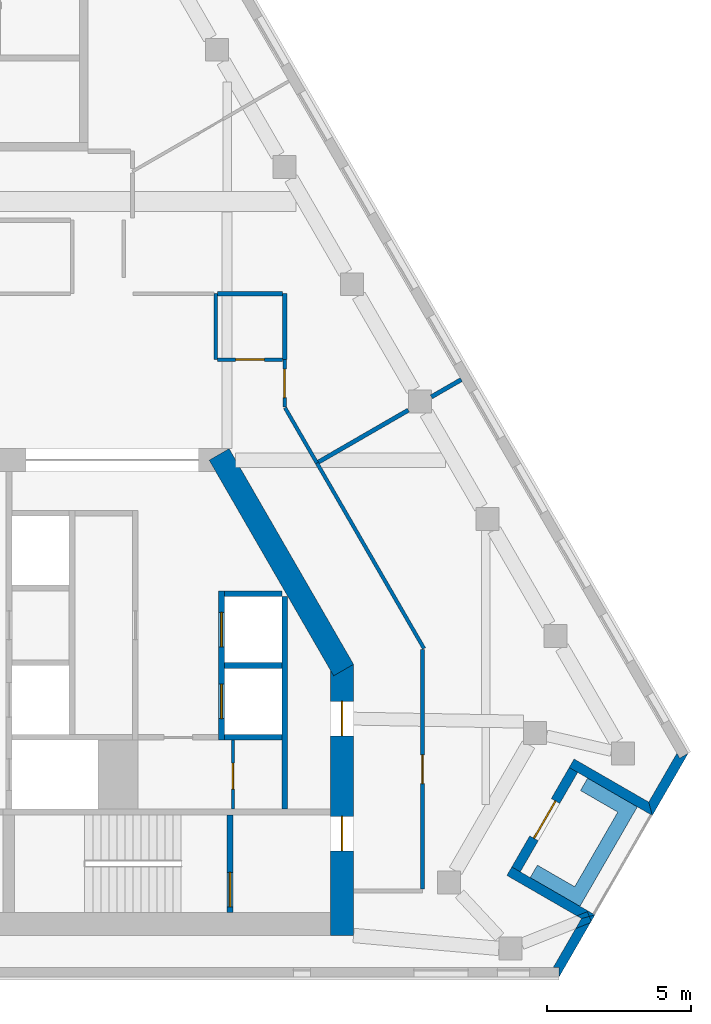
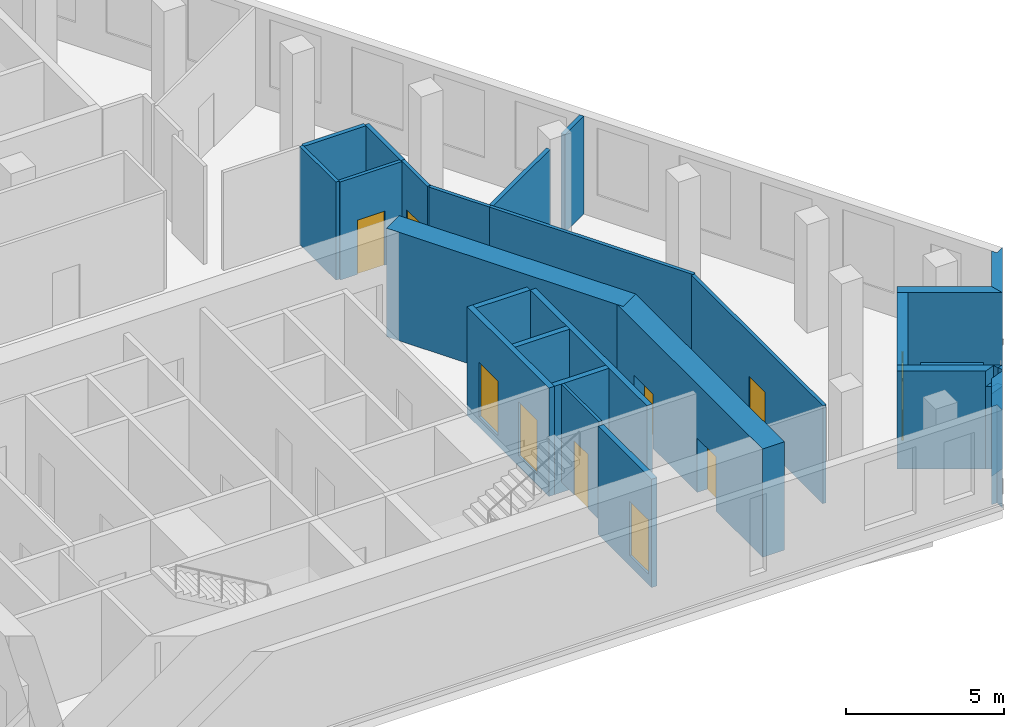
# One storey, part 5 of 8: 28 walls, 10 doors, 10 openings.
"""IFC4 building model written with IfcOpenShell, lengths in metres."""

import ifcopenshell
import ifcopenshell.guid

model = None  # the IFC model being written
_history = None  # IfcOwnerHistory: only IFC2X3 demands one
_inside = {}  # id of a spatial element -> (the spatial element, [elements in it])
_under = {}  # id of a project, library or spatial element -> (it, [spatial elements below it])
_declared = {}  # id of a project -> (the project, [libraries it declares])
_typed = {}  # id of a type object -> (the type object, [elements of that type])
_made_of = {}  # id of a material, layer set ... -> (it, [elements and type objects made of it])


def new_model(schema):
    """Start an empty IFC model of exactly this schema.

    Asked for "IFC4X3", IfcOpenShell would pick the latest addendum, in which some entities
    have other attributes; the version numbers below select the first issue.
    IFC2X3 requires an IfcOwnerHistory on every rooted entity: one is made here for all.
    """
    global model, _history
    if schema == "IFC4X3":
        model = ifcopenshell.file(schema_version=(4, 3, 0, 0))
    else:
        model = ifcopenshell.file(schema=schema)
    _inside.clear()
    _under.clear()
    _declared.clear()
    _typed.clear()
    _made_of.clear()
    _history = None
    if model.schema == "IFC2X3":
        org = make("IfcOrganization", Name="unknown")
        user = make(
            "IfcPersonAndOrganization",
            ThePerson=make("IfcPerson", FamilyName="unknown"),
            TheOrganization=org,
        )
        app = make(
            "IfcApplication",
            ApplicationDeveloper=org,
            Version="unknown",
            ApplicationFullName="unknown",
            ApplicationIdentifier="unknown",
        )
        _history = make(
            "IfcOwnerHistory",
            OwningUser=user,
            OwningApplication=app,
            ChangeAction="ADDED",
            CreationDate=0,
        )
    return model


def make(cls, **values):
    """One entity of the class cls with the attributes given. An attribute that is None is left unset."""
    return model.create_entity(
        cls, **{name: value for name, value in values.items() if value is not None}
    )


def rooted(cls, **values):
    """An entity with a GlobalId (a new one), such as an element, a storey or a relation."""
    return make(cls, GlobalId=ifcopenshell.guid.new(), OwnerHistory=_history, **values)


def si_unit(unit_type, name, prefix=None):
    """IfcSIUnit, for example si_unit("LENGTHUNIT", "METRE", prefix="MILLI")."""
    return make("IfcSIUnit", UnitType=unit_type, Prefix=prefix, Name=name)


def assignment(units):
    """IfcUnitAssignment: the units of a project."""
    return None if units is None else make("IfcUnitAssignment", Units=units)


def point(xyz):
    """IfcCartesianPoint."""
    return None if xyz is None else make("IfcCartesianPoint", Coordinates=xyz)


def direction(xyz):
    """IfcDirection."""
    return None if xyz is None else make("IfcDirection", DirectionRatios=xyz)


def frame(location, z_axis=None, x_axis=None):
    """IfcAxis2Placement3D, a coordinate frame: its origin and axes. An axis left out is left unset."""
    return make(
        "IfcAxis2Placement3D",
        Location=point(location),
        Axis=direction(z_axis),
        RefDirection=direction(x_axis),
    )


def frame_2d(location, x_axis=None):
    """IfcAxis2Placement2D, a coordinate frame in the plane: its origin and x axis."""
    return make(
        "IfcAxis2Placement2D", Location=point(location), RefDirection=direction(x_axis)
    )


def origin():
    """The frame at (0, 0, 0) with its axes left unset."""
    return frame((0.0, 0.0, 0.0))


def place(relative_to, where):
    """IfcLocalPlacement: puts the frame where relative to a parent placement (None: the world)."""
    return make(
        "IfcLocalPlacement", PlacementRelTo=relative_to, RelativePlacement=where
    )


def context(
    kind, dimensions, precision=None, world=None, true_north=None, identifier=None
):
    """IfcGeometricRepresentationContext, for example the 3D "Model" context."""
    return make(
        "IfcGeometricRepresentationContext",
        ContextIdentifier=identifier,
        ContextType=kind,
        CoordinateSpaceDimension=dimensions,
        Precision=precision,
        WorldCoordinateSystem=world,
        TrueNorth=true_north,
    )


def subcontext(parent, identifier, kind, view, scale=None):
    """IfcGeometricRepresentationSubContext, for example "Body" below "Model"."""
    return make(
        "IfcGeometricRepresentationSubContext",
        ContextIdentifier=identifier,
        ContextType=kind,
        ParentContext=parent,
        TargetScale=scale,
        TargetView=view,
    )


def project(units=None, contexts=None):
    """IfcProject with its units and contexts."""
    return rooted(
        "IfcProject",
        Name="project",
        RepresentationContexts=contexts,
        UnitsInContext=assignment(units),
    )


def spatial(cls, under=None, at=None, **own):
    """A site, building, storey or space (cls), placed at a placement, below another one or the project."""
    s = rooted(cls, ObjectPlacement=at, **own)
    if under is not None:
        _under.setdefault(under.id(), (under, []))[1].append(s)
    return s


def polyline(points):
    """IfcPolyline through the points."""
    return make("IfcPolyline", Points=[point(p) for p in points])


def profile(cls, at=None, kind="AREA", **sizes):
    """A parametric profile (cls). Its sizes go by their IFC names, for example OverallWidth=200.0."""
    return make(cls, ProfileType=kind, Position=at, **sizes)


def rectangle(**sizes):
    """IfcRectangleProfileDef."""
    return profile("IfcRectangleProfileDef", **sizes)


def outline(outer, holes=None, kind="AREA"):
    """IfcArbitraryClosedProfileDef: a profile drawn as a closed curve; with holes, ...WithVoids."""
    if holes is None:
        return make("IfcArbitraryClosedProfileDef", ProfileType=kind, OuterCurve=outer)
    return make(
        "IfcArbitraryProfileDefWithVoids",
        ProfileType=kind,
        OuterCurve=outer,
        InnerCurves=holes,
    )


def extrude(swept, where, along, depth):
    """IfcExtrudedAreaSolid: the profile swept, set in the frame where, extruded along a direction by depth."""
    return make(
        "IfcExtrudedAreaSolid",
        SweptArea=swept,
        Position=where,
        ExtrudedDirection=direction(along),
        Depth=depth,
    )


def shape(context_of_items, identifier, shape_type, items):
    """IfcShapeRepresentation: the items that make up one representation, for example the "Body"."""
    return make(
        "IfcShapeRepresentation",
        ContextOfItems=context_of_items,
        RepresentationIdentifier=identifier,
        RepresentationType=shape_type,
        Items=items,
    )


def material(Name=None, Category=None):
    """IfcMaterial."""
    return make("IfcMaterial", Name=Name, Category=Category)


def layer(
    of_material, thickness, ventilated=None, Name=None, Category=None, Priority=None
):
    """IfcMaterialLayer: one layer of a wall or slab, of a material (None: an air gap)."""
    return make(
        "IfcMaterialLayer",
        Material=of_material,
        LayerThickness=thickness,
        IsVentilated=ventilated,
        Name=Name,
        Category=Category,
        Priority=Priority,
    )


def layer_set(layers, Name=None):
    """IfcMaterialLayerSet."""
    return make("IfcMaterialLayerSet", MaterialLayers=layers, LayerSetName=Name)


def made_of(thing, what):
    """Note that an element or type object is made of a material, layer set ...; save() writes the relation."""
    if what is not None:
        _made_of.setdefault(what.id(), (what, []))[1].append(thing)
    return thing


def type_object(cls, material=None, **own):
    """A type object (cls), such as IfcWallType, which elements share."""
    return made_of(rooted(cls, **own), material)


def element(
    cls,
    number,
    at=None,
    inside=None,
    cuts=None,
    type_object=None,
    material=None,
    context=None,
    identifier="Body",
    shape_type=None,
    held_by="IfcProductDefinitionShape",
    body=None,
    shapes=None,
    **own,
):
    """One element of the class cls, such as IfcWall. Its Tag is "e" and its number.

    at: its placement. inside: the storey or other place that contains it. cuts: it is an
    opening in that element (IfcRelVoidsElement). A single representation is given by context,
    identifier, shape_type and body (its items); several are given by shapes. held_by: the class
    of the entity that holds the representations. save() writes the other relations.
    """
    e = rooted(cls, Tag="e%d" % number, ObjectPlacement=at, **own)
    if body is not None:
        shapes = [shape(context, identifier, shape_type, body)]
    if shapes is not None:
        e.Representation = make(held_by, Representations=shapes)
    if inside is not None:
        _inside.setdefault(inside.id(), (inside, []))[1].append(e)
    if cuts is not None:
        rooted(
            "IfcRelVoidsElement", RelatingBuildingElement=cuts, RelatedOpeningElement=e
        )
    if type_object is not None:
        _typed.setdefault(type_object.id(), (type_object, []))[1].append(e)
    return made_of(e, material)


def fill(opening, filler):
    """IfcRelFillsElement: the door or window that sits in an opening."""
    return rooted(
        "IfcRelFillsElement",
        RelatingOpeningElement=opening,
        RelatedBuildingElement=filler,
    )


def aggregate(whole, parts):
    """IfcRelAggregates: a whole, such as a stair, and the parts it consists of."""
    return rooted("IfcRelAggregates", RelatingObject=whole, RelatedObjects=parts)


def save(model, path):
    """Write the relations noted so far, then the file.

    IfcRelAggregates (storeys below a building ...), IfcRelContainedInSpatialStructure (elements
    in a storey), IfcRelDefinesByType, IfcRelAssociatesMaterial and IfcRelDeclares: one each for
    every whole, place, type object, material and project.
    """
    for whole, parts in _under.values():
        aggregate(whole, parts)
    for where, things in _inside.values():
        rooted(
            "IfcRelContainedInSpatialStructure",
            RelatedElements=things,
            RelatingStructure=where,
        )
    for kind, things in _typed.values():
        rooted("IfcRelDefinesByType", RelatedObjects=things, RelatingType=kind)
    for what, things in _made_of.values():
        rooted("IfcRelAssociatesMaterial", RelatedObjects=things, RelatingMaterial=what)
    for by, libraries in _declared.values():
        rooted("IfcRelDeclares", RelatingContext=by, RelatedDefinitions=libraries)
    model.write(path)


model = new_model("IFC4")

# Units and contexts
model_context = context("Model", 3, precision=1e-05, world=origin(), true_north=direction((0.0, 1.0)))
body_context = subcontext(model_context, "Body", "Model", "MODEL_VIEW")
ifc_project = project(units=[si_unit("LENGTHUNIT", "METRE"), si_unit("AREAUNIT", "SQUARE_METRE"), si_unit("VOLUMEUNIT", "CUBIC_METRE"), si_unit("PLANEANGLEUNIT", "RADIAN"), si_unit("MASSUNIT", "GRAM", prefix="KILO")], contexts=[model_context])

# Site, building, storey
site_placement = place(None, origin())
site = spatial("IfcSite", under=ifc_project, at=site_placement, CompositionType="ELEMENT")
building_placement = place(site_placement, origin())
building = spatial("IfcBuilding", under=site, at=building_placement, Name="Fogline Exchange Tower", CompositionType="ELEMENT")
storey_placement = place(building_placement, frame((0.0, 0.0, 291.89990234375)))
storey = spatial("IfcBuildingStorey", under=building, at=storey_placement, Name="L66", CompositionType="ELEMENT", Elevation=291.89990234375)

# Wall, opening, door
ifc_material_1 = material(Name="Blockwork partition", Category="masonry")
ifc_layer_1 = layer(ifc_material_1, 0.10009765625)
ifc_layer_set_1 = layer_set([ifc_layer_1], Name="CW10")
wall_type_1 = type_object("IfcWallType", Name="CW10", PredefinedType="PARTITIONING", material=ifc_layer_set_1)
wall_1_placement = place(storey_placement, frame((9.199951171875, 5.85009765625, 0.0), z_axis=(0.0, 0.0, 1.0), x_axis=(0.0, 1.0, 0.0)))
wall_1 = element("IfcWall", 1, at=wall_1_placement, inside=storey, type_object=wall_type_1, Name="WC partition", PredefinedType="PARTITIONING", context=body_context, shape_type="SweptSolid", body=[
    extrude(rectangle(XDim=2.39990234375, YDim=0.10009765625, at=frame_2d((1.199951171875, 0.0))), origin(), (0.0, 0.0, 1.0), 3.800048828125),
])
opening_1_placement = place(wall_1_placement, frame((0.699951171875, 0.0, 0.0)))
opening_1 = element("IfcOpeningElement", 2, at=opening_1_placement, cuts=wall_1, Name="Opening T21-C016", PredefinedType="OPENING", context=body_context, shape_type="SweptSolid", body=[
    extrude(rectangle(XDim=0.89990234375, YDim=2.10009765625, at=frame_2d((0.449951171875, 1.050048828125))), frame((0.0, 0.06005859375, 0.0), z_axis=(0.0, -1.0, 0.0), x_axis=(1.0, 0.0, 0.0)), (0.0, 0.0, 1.0), 0.1201171875),
])
ifc_material_2 = material(Name="Steel and timber fire door", Category="steel")
door_type_1 = type_object("IfcDoorType", Name="D-CS1", OperationType="SINGLE_SWING_RIGHT", PredefinedType="DOOR", material=ifc_material_2)
door_1_placement = place(opening_1_placement, frame((0.89990234375, 0.0, 0.0), z_axis=(0.0, 0.0, 1.0), x_axis=(-1.0, 0.0, 0.0)))
door_1 = element("IfcDoor", 3, at=door_1_placement, inside=storey, type_object=door_type_1, Name="Door to Cleaner's Store", OperationType="SINGLE_SWING_RIGHT", OverallHeight=2.10009765625, OverallWidth=0.89990234375, PredefinedType="DOOR", context=body_context, shape_type="SweptSolid", body=[
    extrude(rectangle(XDim=0.89990234375, YDim=2.10009765625, at=frame_2d((0.449951171875, 1.050048828125))), frame((0.0, 0.02490234375, 0.0), z_axis=(0.0, -1.0, 0.0), x_axis=(1.0, 0.0, 0.0)), (0.0, 0.0, 1.0), 0.050048828125),
])
fill(opening_1, door_1)

# Wall
ifc_material_3 = material(Name="Concrete C40", Category="concrete")
ifc_layer_2 = layer(ifc_material_3, 0.199951171875)
ifc_layer_set_2 = layer_set([ifc_layer_2], Name="CW20")
wall_type_2 = type_object("IfcWallType", Name="CW20", PredefinedType="SOLIDWALL", material=ifc_layer_set_2)
wall_2_placement = place(storey_placement, frame((11.0, 5.85009765625, 0.0), z_axis=(0.0, 0.0, 1.0), x_axis=(0.0, 1.0, 0.0)))
element("IfcWall", 4, at=wall_2_placement, inside=storey, type_object=wall_type_2, Name="Service room wall", PredefinedType="SOLIDWALL", context=body_context, shape_type="SweptSolid", body=[
    extrude(rectangle(XDim=7.39990234375, YDim=0.199951171875, at=frame_2d((3.699951171875, 0.0))), origin(), (0.0, 0.0, 1.0), 3.800048828125),
])

# Wall, opening, door
ifc_layer_3 = layer(ifc_material_3, 0.199951171875)
ifc_layer_set_3 = layer_set([ifc_layer_3], Name="CW20R")
wall_type_3 = type_object("IfcWallType", Name="CW20R", PredefinedType="SOLIDWALL", material=ifc_layer_set_3)
wall_3_placement = place(storey_placement, frame((9.10009765625, 2.25, -0.39990234375), z_axis=(0.0, 0.0, 1.0), x_axis=(0.0, 1.0, 0.0)))
wall_3 = element("IfcWall", 5, at=wall_3_placement, inside=storey, type_object=wall_type_3, Name="Stair enclosure wall", PredefinedType="SOLIDWALL", context=body_context, shape_type="SweptSolid", body=[
    extrude(rectangle(XDim=3.39990234375, YDim=0.199951171875, at=frame_2d((1.699951171875, 0.0))), origin(), (0.0, 0.0, 1.0), 4.199951171875),
])
opening_2_placement = place(wall_3_placement, frame((0.199951171875, 0.0, 0.39990234375)))
opening_2 = element("IfcOpeningElement", 6, at=opening_2_placement, cuts=wall_3, Name="Opening T21-C018", PredefinedType="OPENING", context=body_context, shape_type="SweptSolid", body=[
    extrude(rectangle(XDim=1.199951171875, YDim=2.10009765625, at=frame_2d((0.60009765625, 1.050048828125))), frame((0.0, 0.10986328125, 0.0), z_axis=(0.0, -1.0, 0.0), x_axis=(1.0, 0.0, 0.0)), (0.0, 0.0, 1.0), 0.219970703125),
])
door_type_2 = type_object("IfcDoorType", Name="D-ST1", OperationType="SINGLE_SWING_LEFT", PredefinedType="DOOR", material=ifc_material_2)
door_2_placement = place(opening_2_placement, origin())
door_2 = element("IfcDoor", 7, at=door_2_placement, inside=storey, type_object=door_type_2, Name="Stair door ST2", OperationType="SINGLE_SWING_LEFT", OverallHeight=2.10009765625, OverallWidth=1.199951171875, PredefinedType="DOOR", context=body_context, shape_type="SweptSolid", body=[
    extrude(rectangle(XDim=1.199951171875, YDim=2.10009765625, at=frame_2d((0.60009765625, 1.050048828125))), frame((0.0, 0.02490234375, 0.0), z_axis=(0.0, -1.0, 0.0), x_axis=(1.0, 0.0, 0.0)), (0.0, 0.0, 1.0), 0.050048828125),
])
fill(opening_2, door_2)

# Wall, openings, doors
ifc_layer_4 = layer(ifc_material_3, 0.199951171875)
ifc_layer_set_4 = layer_set([ifc_layer_4], Name="CW20S")
wall_type_4 = type_object("IfcWallType", Name="CW20S", PredefinedType="SOLIDWALL", material=ifc_layer_set_4)
wall_4_placement = place(storey_placement, frame((8.800048828125, 8.25, -0.39990234375), z_axis=(0.0, 0.0, 1.0), x_axis=(0.0, 1.0, 0.0)))
wall_4 = element("IfcWall", 8, at=wall_4_placement, inside=storey, type_object=wall_type_4, Name="Lift shaft wall", PredefinedType="SOLIDWALL", context=body_context, shape_type="SweptSolid", body=[
    extrude(rectangle(XDim=5.199951171875, YDim=0.199951171875, at=frame_2d((2.60009765625, 0.0))), origin(), (0.0, 0.0, 1.0), 4.199951171875),
])
opening_3_placement = place(wall_4_placement, frame((0.75, 0.0, 0.39990234375)))
opening_3 = element("IfcOpeningElement", 9, at=opening_3_placement, cuts=wall_4, Name="Opening T21-LD02", PredefinedType="OPENING", context=body_context, shape_type="SweptSolid", body=[
    extrude(rectangle(XDim=1.199951171875, YDim=2.10009765625, at=frame_2d((0.60009765625, 1.050048828125))), frame((0.0, 0.10986328125, 0.0), z_axis=(0.0, -1.0, 0.0), x_axis=(1.0, 0.0, 0.0)), (0.0, 0.0, 1.0), 0.219970703125),
])
opening_4_placement = place(wall_4_placement, frame((3.25, 0.0, 0.39990234375)))
opening_4 = element("IfcOpeningElement", 10, at=opening_4_placement, cuts=wall_4, Name="Opening T21-LD03", PredefinedType="OPENING", context=body_context, shape_type="SweptSolid", body=[
    extrude(rectangle(XDim=1.199951171875, YDim=2.10009765625, at=frame_2d((0.60009765625, 1.050048828125))), frame((0.0, 0.10986328125, 0.0), z_axis=(0.0, -1.0, 0.0), x_axis=(1.0, 0.0, 0.0)), (0.0, 0.0, 1.0), 0.219970703125),
])
door_type_3 = type_object("IfcDoorType", Name="LD1", OperationType="SLIDING_TO_LEFT", PredefinedType="DOOR", material=ifc_material_2)
door_3_placement = place(opening_3_placement, origin())
door_3 = element("IfcDoor", 11, at=door_3_placement, inside=storey, type_object=door_type_3, Name="Landing door HR1", OperationType="SLIDING_TO_LEFT", OverallHeight=2.10009765625, OverallWidth=1.199951171875, PredefinedType="DOOR", context=body_context, shape_type="SweptSolid", body=[
    extrude(rectangle(XDim=1.199951171875, YDim=2.10009765625, at=frame_2d((0.60009765625, 1.050048828125))), frame((0.0, 0.02490234375, 0.0), z_axis=(0.0, -1.0, 0.0), x_axis=(1.0, 0.0, 0.0)), (0.0, 0.0, 1.0), 0.050048828125),
])
fill(opening_3, door_3)
door_4_placement = place(opening_4_placement, origin())
door_4 = element("IfcDoor", 12, at=door_4_placement, inside=storey, type_object=door_type_3, Name="Landing door HR2", OperationType="SLIDING_TO_LEFT", OverallHeight=2.10009765625, OverallWidth=1.199951171875, PredefinedType="DOOR", context=body_context, shape_type="SweptSolid", body=[
    extrude(rectangle(XDim=1.199951171875, YDim=2.10009765625, at=frame_2d((0.60009765625, 1.050048828125))), frame((0.0, 0.02490234375, 0.0), z_axis=(0.0, -1.0, 0.0), x_axis=(1.0, 0.0, 0.0)), (0.0, 0.0, 1.0), 0.050048828125),
])
fill(opening_4, door_4)

# Walls
for number, where, z_axis, x_axis, name in (
    (13, (8.89990234375, 8.35009765625, -0.39990234375), (0.0, 0.0, 1.0), (1.0, 0.0, 0.0), "Lift shaft wall"),
    (14, (8.89990234375, 10.85009765625, -0.39990234375), (0.0, 0.0, 1.0), (1.0, 0.0, 0.0), "Lift shaft wall"),
    (15, (8.89990234375, 13.35009765625, -0.39990234375), (0.0, 0.0, 1.0), (1.0, 0.0, 0.0), "Lift shaft wall"),
):
    element("IfcWall", number, at=place(storey_placement, frame(where, z_axis=z_axis, x_axis=x_axis)), inside=storey, type_object=wall_type_4, Name=name, PredefinedType="SOLIDWALL", context=body_context, shape_type="SweptSolid", body=[
        extrude(rectangle(XDim=2.0, YDim=0.199951171875, at=frame_2d((1.0, 0.0))), origin(), (0.0, 0.0, 1.0), 4.199951171875),
    ])
ifc_material_4 = material(Name="Brick masonry", Category="masonry")
ifc_layer_5 = layer(ifc_material_4, 0.340087890625)
ifc_layer_set_5 = layer_set([ifc_layer_5], Name="FW1")
wall_type_5 = type_object("IfcWallType", Name="FW1", PredefinedType="SOLIDWALL", material=ifc_layer_set_5)
wall_5_placement = place(storey_placement, origin())
element("IfcWall", 16, at=wall_5_placement, inside=storey, type_object=wall_type_5, Name="Brick wall L66 SE-c1", PredefinedType="SOLIDWALL", context=body_context, shape_type="SweptSolid", body=[
    extrude(outline(polyline([(21.644775390625, 1.891357421875), (21.1337890625, 1.6884765625), (21.33740234375, 2.041015625), (21.6083984375, 2.11376953125), (21.675537109375, 1.944580078125), (21.644775390625, 1.891357421875)])), origin(), (0.0, 0.0, 1.0), 3.2001953125),
])
wall_6_placement = place(storey_placement, origin())
element("IfcWall", 17, at=wall_6_placement, inside=storey, type_object=wall_type_5, Name="Brick wall L66 SE-c1", PredefinedType="SOLIDWALL", context=body_context, shape_type="SweptSolid", body=[
    extrude(outline(polyline([(21.675537109375, 1.944580078125), (21.6083984375, 2.11376953125), (21.802978515625, 2.166015625), (21.80322265625, 2.165771484375), (21.675537109375, 1.944580078125)])), origin(), (0.0, 0.0, 1.0), 3.800048828125),
])
wall_7_placement = place(storey_placement, origin())
element("IfcWall", 18, at=wall_7_placement, inside=storey, type_object=wall_type_5, Name="Brick wall L66 SE-c1", PredefinedType="SOLIDWALL", context=body_context, shape_type="SweptSolid", body=[
    extrude(outline(polyline([(20.55224609375, -0.001220703125), (20.551513671875, -0.0009765625), (20.551513671875, 0.33935546875), (20.354736328125, 0.33935546875), (21.1337890625, 1.6884765625), (21.644775390625, 1.891357421875), (20.55224609375, -0.001220703125)])), origin(), (0.0, 0.0, 1.0), 3.800048828125),
])
wall_8_placement = place(storey_placement, origin())
element("IfcWall", 19, at=wall_8_placement, inside=storey, type_object=wall_type_5, Name="Brick wall L66 SE-s1", PredefinedType="SOLIDWALL", context=body_context, shape_type="SweptSolid", body=[
    extrude(outline(polyline([(21.337646484375, 2.0400390625), (21.173583984375, 2.134521484375), (21.5419921875, 2.281005859375), (21.60888671875, 2.112548828125), (21.337646484375, 2.0400390625)])), origin(), (0.0, 0.0, 1.0), 3.2001953125),
])
wall_9_placement = place(storey_placement, origin())
element("IfcWall", 20, at=wall_9_placement, inside=storey, type_object=wall_type_5, Name="Brick wall L66 SE-s1", PredefinedType="SOLIDWALL", context=body_context, shape_type="SweptSolid", body=[
    extrude(outline(polyline([(18.909423828125, 3.8359375), (19.204345703125, 3.66552734375), (21.803466796875, 2.1650390625), (21.803466796875, 2.164794921875), (21.60888671875, 2.112548828125), (21.5419921875, 2.281005859375), (21.173583984375, 2.134521484375), (18.73876953125, 3.540283203125), (18.909423828125, 3.8359375)])), origin(), (0.0, 0.0, 1.0), 3.800048828125),
])

# Wall, opening, door
wall_10_placement = place(storey_placement, frame((19.056884765625, 3.75, 0.0), z_axis=(0.0, 0.0, 1.0), x_axis=(0.49999894854, 0.866026010844, 0.0)))
wall_10 = element("IfcWall", 21, at=wall_10_placement, inside=storey, type_object=wall_type_5, Name="Brick wall L66 SE-bk", PredefinedType="SOLIDWALL", context=body_context, shape_type="SweptSolid", body=[
    extrude(rectangle(XDim=4.0, YDim=0.340087890625, at=frame_2d((2.0, 0.0))), origin(), (0.0, 0.0, 1.0), 3.800048828125),
])
opening_5_placement = place(wall_10_placement, frame((1.25, 0.0, 0.0)))
opening_5 = element("IfcOpeningElement", 22, at=opening_5_placement, cuts=wall_10, Name="Opening T21-E081", PredefinedType="OPENING", context=body_context, shape_type="SweptSolid", body=[
    extrude(rectangle(XDim=1.5, YDim=2.39990234375, at=frame_2d((0.75, 1.199951171875))), frame((0.0, 0.18017578125, 0.0), z_axis=(0.0, -1.0, 0.0), x_axis=(1.0, 0.0, 0.0)), (0.0, 0.0, 1.0), 0.360107421875),
])
ifc_material_5 = material(Name="Aluminium and glass", Category="aluminium")
door_type_4 = type_object("IfcDoorType", Name="ED4", OperationType="SINGLE_SWING_LEFT", PredefinedType="DOOR", material=ifc_material_5)
door_5_placement = place(opening_5_placement, frame((1.5, 0.0, 0.0), z_axis=(0.0, 0.0, 1.0), x_axis=(-1.0, 0.0, 0.0)))
door_5 = element("IfcDoor", 23, at=door_5_placement, inside=storey, type_object=door_type_4, Name="Balcony door L66 SE", OperationType="DOUBLE_DOOR_SINGLE_SWING", OverallHeight=2.39990234375, OverallWidth=1.5, PredefinedType="DOOR", context=body_context, shape_type="SweptSolid", body=[
    extrude(rectangle(XDim=1.5, YDim=2.39990234375, at=frame_2d((0.75, 1.199951171875))), frame((0.0, 0.02490234375, 0.0), z_axis=(0.0, -1.0, 0.0), x_axis=(1.0, 0.0, 0.0)), (0.0, 0.0, 1.0), 0.050048828125),
])
fill(opening_5, door_5)

# Walls
wall_11_placement = place(storey_placement, origin())
element("IfcWall", 24, at=wall_11_placement, inside=storey, type_object=wall_type_5, Name="Brick wall L66 SE-s2", PredefinedType="SOLIDWALL", context=body_context, shape_type="SweptSolid", body=[
    extrude(outline(polyline([(23.802734375, 5.628173828125), (21.203857421875, 7.128662109375), (20.908935546875, 7.298828125), (21.079345703125, 7.594482421875), (23.67822265625, 6.093994140625), (23.802978515625, 5.62841796875), (23.802734375, 5.628173828125)])), origin(), (0.0, 0.0, 1.0), 3.800048828125),
])
wall_12_placement = place(storey_placement, origin())
element("IfcWall", 25, at=wall_12_placement, inside=storey, type_object=wall_type_5, Name="Brick wall L66 SE-c2", PredefinedType="SOLIDWALL", context=body_context, shape_type="SweptSolid", body=[
    extrude(outline(polyline([(24.65966796875, 7.79541015625), (24.758056640625, 7.625), (25.052734375, 7.79541015625), (25.05322265625, 7.794921875), (23.80224609375, 5.6279296875), (23.8017578125, 5.6279296875), (23.677001953125, 6.09375), (24.65966796875, 7.79541015625)])), origin(), (0.0, 0.0, 1.0), 3.800048828125),
])
ifc_material_6 = material(Name="Concrete C30", Category="concrete")
ifc_layer_6 = layer(ifc_material_6, 0.199951171875)
ifc_layer_set_6 = layer_set([ifc_layer_6], Name="PL1")
wall_type_6 = type_object("IfcWallType", Name="PL1", PredefinedType="USERDEFINED", material=ifc_layer_set_6)
wall_13_placement = place(storey_placement, origin())
element("IfcWall", 26, at=wall_13_placement, inside=storey, type_object=wall_type_6, Name="PLANTER balcony L66 SE", ObjectType="PLANTER", PredefinedType="USERDEFINED", context=body_context, shape_type="SweptSolid", body=[
    extrude(outline(polyline([(19.550537109375, 3.465087890625), (20.849609375, 2.715087890625), (20.849609375, 2.715087890625), (21.28271484375, 2.465087890625), (23.28271484375, 5.92919921875), (21.550537109375, 6.92919921875), (21.300537109375, 6.49609375), (22.599609375, 5.74609375), (21.099609375, 3.148193359375), (19.800537109375, 3.898193359375), (19.550537109375, 3.465087890625)])), origin(), (0.0, 0.0, 1.0), 1.10009765625),
])
ifc_material_7 = material(Name="Plasterboard corridor partition with mineral wool, 2 layers each side")
ifc_layer_7 = layer(ifc_material_7, 0.125)
ifc_layer_set_7 = layer_set([ifc_layer_7], Name="PW2")
wall_type_7 = type_object("IfcWallType", Name="PW2", PredefinedType="PARTITIONING", material=ifc_layer_set_7)
wall_14_placement = place(storey_placement, frame((11.015380859375, 19.822021484375, 0.0), z_axis=(0.0, 0.0, 1.0), x_axis=(0.500037141584, -0.866003959019, 0.0)))
element("IfcWall", 27, at=wall_14_placement, inside=storey, type_object=wall_type_7, Name="wall-L66-W001", PredefinedType="PARTITIONING", context=body_context, shape_type="SweptSolid", body=[
    extrude(rectangle(XDim=2.216064453125, YDim=0.125, at=frame_2d((1.10791015625, 0.0))), origin(), (0.0, 0.0, 1.0), 3.800048828125),
])
wall_15_placement = place(storey_placement, frame((12.12353515625, 17.90283203125, 0.0), z_axis=(0.0, 0.0, 1.0), x_axis=(0.499992468072, -0.866029752302, 0.0)))
element("IfcWall", 28, at=wall_15_placement, inside=storey, type_object=wall_type_7, Name="wall-L66-W002", PredefinedType="PARTITIONING", context=body_context, shape_type="SweptSolid", body=[
    extrude(rectangle(XDim=7.46142578125, YDim=0.125, at=frame_2d((3.730712890625, 0.0))), origin(), (0.0, 0.0, 1.0), 3.800048828125),
])

# Wall, opening, door
wall_16_placement = place(storey_placement, frame((15.800048828125, 11.409912109375, 0.0), z_axis=(0.0, 0.0, 1.0), x_axis=(0.0, -1.0, 0.0)))
wall_16 = element("IfcWall", 29, at=wall_16_placement, inside=storey, type_object=wall_type_7, Name="wall-L66-W003", PredefinedType="PARTITIONING", context=body_context, shape_type="SweptSolid", body=[
    extrude(rectangle(XDim=8.347412109375, YDim=0.125, at=frame_2d((4.173828125, 0.0))), origin(), (0.0, 0.0, 1.0), 3.800048828125),
])
opening_6_placement = place(wall_16_placement, frame((3.673583984375, 0.0, 0.0)))
opening_6 = element("IfcOpeningElement", 30, at=opening_6_placement, cuts=wall_16, Name="Opening T21-D001", PredefinedType="OPENING", context=body_context, shape_type="SweptSolid", body=[
    extrude(rectangle(XDim=1.0, YDim=2.10009765625, at=frame_2d((0.5, 1.050048828125))), frame((0.0, 0.072509765625, 0.0), z_axis=(0.0, -1.0, 0.0), x_axis=(1.0, 0.0, 0.0)), (0.0, 0.0, 1.0), 0.14501953125),
])
ifc_material_8 = material(Name="Fire-rated timber door leaf with steel frame", Category="steel")
door_type_5 = type_object("IfcDoorType", Name="D3", OperationType="SINGLE_SWING_LEFT", PredefinedType="DOOR", material=ifc_material_8)
door_6_placement = place(opening_6_placement, origin())
door_6 = element("IfcDoor", 31, at=door_6_placement, inside=storey, type_object=door_type_5, Name="door-L66-D001", OperationType="SINGLE_SWING_LEFT", OverallHeight=2.10009765625, OverallWidth=1.0, PredefinedType="DOOR", context=body_context, shape_type="SweptSolid", body=[
    extrude(rectangle(XDim=1.0, YDim=2.10009765625, at=frame_2d((0.5, 1.050048828125))), frame((0.0, 0.02490234375, 0.0), z_axis=(0.0, -1.0, 0.0), x_axis=(1.0, 0.0, 0.0)), (0.0, 0.0, 1.0), 0.050048828125),
])
fill(opening_6, door_6)

# Wall
wall_17_placement = place(storey_placement, frame((8.60009765625, 23.800048828125, 0.0), z_axis=(0.0, 0.0, 1.0), x_axis=(0.0, -1.0, 0.0)))
element("IfcWall", 32, at=wall_17_placement, inside=storey, type_object=wall_type_7, Name="wall-L66-W005", PredefinedType="PARTITIONING", context=body_context, shape_type="SweptSolid", body=[
    extrude(rectangle(XDim=2.300048828125, YDim=0.125, at=frame_2d((1.14990234375, 0.0))), origin(), (0.0, 0.0, 1.0), 3.800048828125),
])

# Wall, opening, door
wall_18_placement = place(storey_placement, frame((8.66259765625, 21.5, 0.0), z_axis=(0.0, 0.0, 1.0), x_axis=(1.0, 0.0, 0.0)))
wall_18 = element("IfcWall", 33, at=wall_18_placement, inside=storey, type_object=wall_type_7, Name="wall-L66-W006", PredefinedType="PARTITIONING", context=body_context, shape_type="SweptSolid", body=[
    extrude(rectangle(XDim=2.262451171875, YDim=0.125, at=frame_2d((1.13134765625, 0.0))), origin(), (0.0, 0.0, 1.0), 3.800048828125),
])
opening_7_placement = place(wall_18_placement, frame((0.63134765625, 0.0, 0.0)))
opening_7 = element("IfcOpeningElement", 34, at=opening_7_placement, cuts=wall_18, Name="Opening T21-D002", PredefinedType="OPENING", context=body_context, shape_type="SweptSolid", body=[
    extrude(rectangle(XDim=1.0, YDim=2.10009765625, at=frame_2d((0.5, 1.050048828125))), frame((0.0, 0.072509765625, 0.0), z_axis=(0.0, -1.0, 0.0), x_axis=(1.0, 0.0, 0.0)), (0.0, 0.0, 1.0), 0.14501953125),
])
door_7_placement = place(opening_7_placement, origin())
door_7 = element("IfcDoor", 35, at=door_7_placement, inside=storey, type_object=door_type_5, Name="door-L66-D002", OperationType="SINGLE_SWING_LEFT", OverallHeight=2.10009765625, OverallWidth=1.0, PredefinedType="DOOR", context=body_context, shape_type="SweptSolid", body=[
    extrude(rectangle(XDim=1.0, YDim=2.10009765625, at=frame_2d((0.5, 1.050048828125))), frame((0.0, 0.02490234375, 0.0), z_axis=(0.0, -1.0, 0.0), x_axis=(1.0, 0.0, 0.0)), (0.0, 0.0, 1.0), 0.050048828125),
])
fill(opening_7, door_7)

wall_19_placement = place(storey_placement, frame((11.0, 21.5, 0.0), z_axis=(0.0, 0.0, 1.0), x_axis=(0.0, -1.0, 0.0)))
wall_19 = element("IfcWall", 36, at=wall_19_placement, inside=storey, type_object=wall_type_7, Name="wall-L66-W008", PredefinedType="PARTITIONING", context=body_context, shape_type="SweptSolid", body=[
    extrude(rectangle(XDim=1.6513671875, YDim=0.125, at=frame_2d((0.82568359375, 0.0))), origin(), (0.0, 0.0, 1.0), 3.800048828125),
])
opening_8_placement = place(wall_19_placement, frame((0.32568359375, 0.0, 0.0)))
opening_8 = element("IfcOpeningElement", 37, at=opening_8_placement, cuts=wall_19, Name="Opening T21-D003", PredefinedType="OPENING", context=body_context, shape_type="SweptSolid", body=[
    extrude(rectangle(XDim=1.0, YDim=2.10009765625, at=frame_2d((0.5, 1.050048828125))), frame((0.0, 0.072509765625, 0.0), z_axis=(0.0, -1.0, 0.0), x_axis=(1.0, 0.0, 0.0)), (0.0, 0.0, 1.0), 0.14501953125),
])
door_8_placement = place(opening_8_placement, origin())
door_8 = element("IfcDoor", 38, at=door_8_placement, inside=storey, type_object=door_type_5, Name="door-L66-D003", OperationType="SINGLE_SWING_LEFT", OverallHeight=2.10009765625, OverallWidth=1.0, PredefinedType="DOOR", context=body_context, shape_type="SweptSolid", body=[
    extrude(rectangle(XDim=1.0, YDim=2.10009765625, at=frame_2d((0.5, 1.050048828125))), frame((0.0, 0.02490234375, 0.0), z_axis=(0.0, -1.0, 0.0), x_axis=(1.0, 0.0, 0.0)), (0.0, 0.0, 1.0), 0.050048828125),
])
fill(opening_8, door_8)

# Walls
ifc_material_9 = material(Name="Plasterboard demising partition with mineral wool and acoustic board")
ifc_layer_8 = layer(ifc_material_9, 0.14990234375)
ifc_layer_set_8 = layer_set([ifc_layer_8], Name="PW3")
wall_type_8 = type_object("IfcWallType", Name="PW3", PredefinedType="PARTITIONING", material=ifc_layer_set_8)
wall_20_placement = place(storey_placement, frame((8.6630859375, 23.800048828125, 0.0), z_axis=(0.0, 0.0, 1.0), x_axis=(1.0, 0.0, 0.0)))
element("IfcWall", 39, at=wall_20_placement, inside=storey, type_object=wall_type_8, Name="wall-L66-W025", PredefinedType="PARTITIONING", context=body_context, shape_type="SweptSolid", body=[
    extrude(rectangle(XDim=2.261962890625, YDim=0.14990234375, at=frame_2d((1.130859375, 0.0))), origin(), (0.0, 0.0, 1.0), 3.800048828125),
])
wall_21_placement = place(storey_placement, frame((11.0, 23.800048828125, 0.0), z_axis=(0.0, 0.0, 1.0), x_axis=(0.0, -1.0, 0.0)))
element("IfcWall", 40, at=wall_21_placement, inside=storey, type_object=wall_type_8, Name="wall-L66-W026", PredefinedType="PARTITIONING", context=body_context, shape_type="SweptSolid", body=[
    extrude(rectangle(XDim=2.300048828125, YDim=0.14990234375, at=frame_2d((1.14990234375, 0.0))), origin(), (0.0, 0.0, 1.0), 3.800048828125),
])
wall_22_placement = place(storey_placement, frame((17.1484375, 20.803955078125, 0.0), z_axis=(0.0, 0.0, 1.0), x_axis=(-0.866019662671, -0.500009943768, 0.0)))
element("IfcWall", 41, at=wall_22_placement, inside=storey, type_object=wall_type_8, Name="wall-L66-W028", PredefinedType="PARTITIONING", context=body_context, shape_type="SweptSolid", body=[
    extrude(rectangle(XDim=1.20068359375, YDim=0.14990234375, at=frame_2d((0.600341796875, 0.0))), origin(), (0.0, 0.0, 1.0), 3.800048828125),
])
wall_23_placement = place(storey_placement, frame((15.30859375, 19.74169921875, 0.0), z_axis=(0.0, 0.0, 1.0), x_axis=(-0.866040526528, -0.499973805724, 0.0)))
element("IfcWall", 42, at=wall_23_placement, inside=storey, type_object=wall_type_8, Name="wall-L66-W029", PredefinedType="PARTITIONING", context=body_context, shape_type="SweptSolid", body=[
    extrude(rectangle(XDim=3.615478515625, YDim=0.14990234375, at=frame_2d((1.8076171875, 0.0))), origin(), (0.0, 0.0, 1.0), 3.800048828125),
])

# Wall, openings, doors
ifc_material_10 = material(Name="Concrete C50", Category="concrete")
ifc_layer_9 = layer(ifc_material_10, 0.800048828125)
ifc_layer_set_9 = layer_set([ifc_layer_9], Name="SW04")
wall_type_9 = type_object("IfcWallType", Name="SW04", PredefinedType="SHEAR", material=ifc_layer_set_9)
wall_24_placement = place(storey_placement, frame((13.0, 1.449951171875, 0.0), z_axis=(0.0, 0.0, 1.0), x_axis=(0.0, 1.0, 0.0)))
wall_24 = element("IfcWall", 43, at=wall_24_placement, inside=storey, type_object=wall_type_9, Name="L66-W902", PredefinedType="SHEAR", context=body_context, shape_type="SweptSolid", body=[
    extrude(rectangle(XDim=9.44189453125, YDim=0.800048828125, at=frame_2d((4.720947265625, 0.0))), origin(), (0.0, 0.0, 1.0), 4.2001953125),
])
opening_9_placement = place(wall_24_placement, frame((2.949951171875, 0.0, 0.0)))
opening_9 = element("IfcOpeningElement", 44, at=opening_9_placement, cuts=wall_24, Name="Opening T21-C017", PredefinedType="OPENING", context=body_context, shape_type="SweptSolid", body=[
    extrude(rectangle(XDim=1.199951171875, YDim=2.10009765625, at=frame_2d((0.60009765625, 1.050048828125))), frame((0.0, 0.41015625, 0.0), z_axis=(0.0, -1.0, 0.0), x_axis=(1.0, 0.0, 0.0)), (0.0, 0.0, 1.0), 0.820068359375),
])
opening_10_placement = place(wall_24_placement, frame((6.949951171875, 0.0, 0.0)))
opening_10 = element("IfcOpeningElement", 45, at=opening_10_placement, cuts=wall_24, Name="Opening T21-C019", PredefinedType="OPENING", context=body_context, shape_type="SweptSolid", body=[
    extrude(rectangle(XDim=1.199951171875, YDim=2.10009765625, at=frame_2d((0.60009765625, 1.050048828125))), frame((0.0, 0.41015625, 0.0), z_axis=(0.0, -1.0, 0.0), x_axis=(1.0, 0.0, 0.0)), (0.0, 0.0, 1.0), 0.820068359375),
])
door_type_6 = type_object("IfcDoorType", Name="D-FR1", OperationType="SINGLE_SWING_RIGHT", PredefinedType="DOOR", material=ifc_material_2)
door_9_placement = place(opening_9_placement, origin())
door_9 = element("IfcDoor", 46, at=door_9_placement, inside=storey, type_object=door_type_6, Name="Front room door ST2", OperationType="SINGLE_SWING_RIGHT", OverallHeight=2.10009765625, OverallWidth=1.199951171875, PredefinedType="DOOR", context=body_context, shape_type="SweptSolid", body=[
    extrude(rectangle(XDim=1.199951171875, YDim=2.10009765625, at=frame_2d((0.60009765625, 1.050048828125))), frame((0.0, 0.02490234375, 0.0), z_axis=(0.0, -1.0, 0.0), x_axis=(1.0, 0.0, 0.0)), (0.0, 0.0, 1.0), 0.050048828125),
])
fill(opening_9, door_9)
door_type_7 = type_object("IfcDoorType", Name="D-SV1", OperationType="SINGLE_SWING_LEFT", PredefinedType="DOOR", material=ifc_material_2)
door_10_placement = place(opening_10_placement, origin())
door_10 = element("IfcDoor", 47, at=door_10_placement, inside=storey, type_object=door_type_7, Name="Service door E", OperationType="SINGLE_SWING_RIGHT", OverallHeight=2.10009765625, OverallWidth=1.199951171875, PredefinedType="DOOR", context=body_context, shape_type="SweptSolid", body=[
    extrude(rectangle(XDim=1.199951171875, YDim=2.10009765625, at=frame_2d((0.60009765625, 1.050048828125))), frame((0.0, 0.02490234375, 0.0), z_axis=(0.0, -1.0, 0.0), x_axis=(1.0, 0.0, 0.0)), (0.0, 0.0, 1.0), 0.050048828125),
])
fill(opening_10, door_10)

# Wall
wall_25_placement = place(storey_placement, frame((13.0537109375, 10.69189453125, 0.0), z_axis=(0.0, 0.0, 1.0), x_axis=(-0.500015780397, 0.866016292776, 0.0)))
element("IfcWall", 48, at=wall_25_placement, inside=storey, type_object=wall_type_9, Name="L66-W903", PredefinedType="SHEAR", context=body_context, shape_type="SweptSolid", body=[
    extrude(rectangle(XDim=8.669677734375, YDim=0.800048828125, at=frame_2d((4.3349609375, 0.0))), origin(), (0.0, 0.0, 1.0), 4.2001953125),
])

save(model, "model.ifc")
